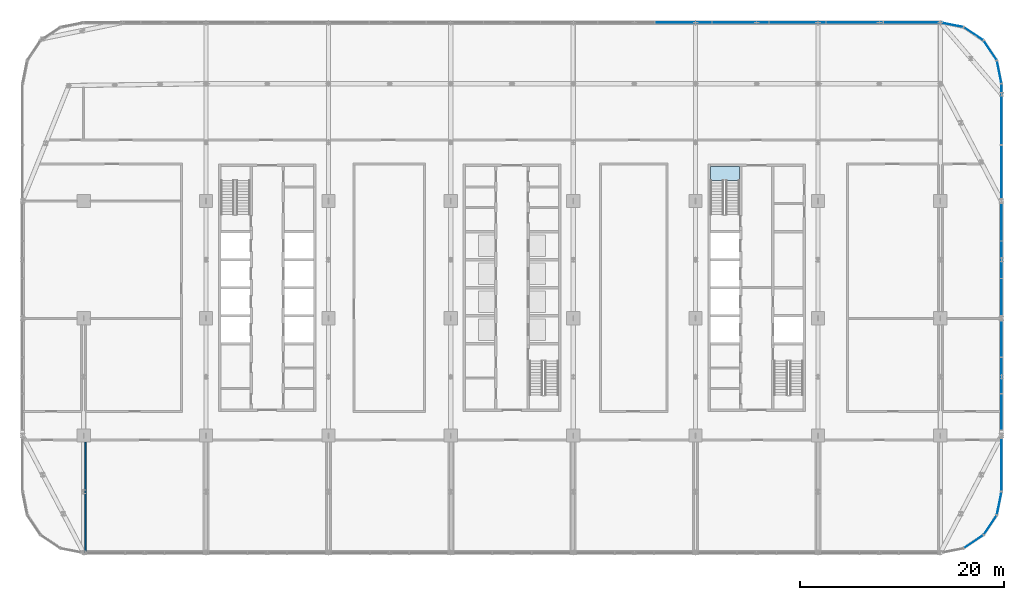
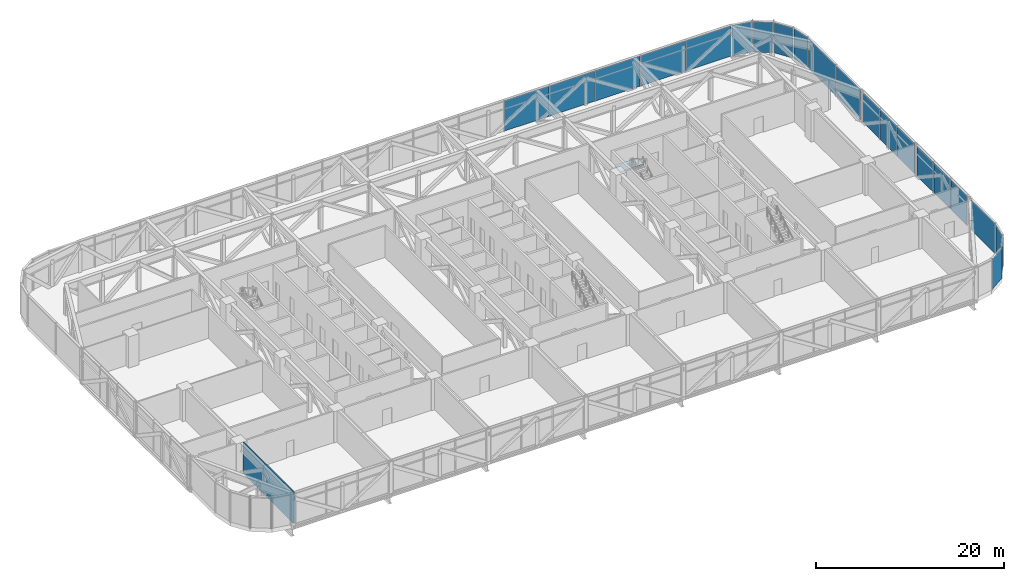
# One storey, part 15 of 30: 21 plates, 1 slab, 1 wall, 14 elements without a shape of their own.
"""IFC4 building model written with IfcOpenShell, lengths in metres."""

from ifc_helpers import new_model, si_unit, direction, frame, frame_2d, origin, origin_2d, place, context, subcontext, project, spatial, polyline, rectangle, outline, extrude, material, layer, layer_set, type_object, element, aggregate, save


model = new_model("IFC4")

# Units and contexts
model_context = context("Model", 3, precision=1e-05, world=origin(), true_north=direction((0.0, 1.0)))
body_context = subcontext(model_context, "Body", "Model", "MODEL_VIEW")
ifc_project = project(units=[si_unit("LENGTHUNIT", "METRE"), si_unit("AREAUNIT", "SQUARE_METRE"), si_unit("VOLUMEUNIT", "CUBIC_METRE"), si_unit("PLANEANGLEUNIT", "RADIAN"), si_unit("MASSUNIT", "GRAM", prefix="KILO")], contexts=[model_context])

# Site, building, storey
site_placement = place(None, origin())
site = spatial("IfcSite", under=ifc_project, at=site_placement, CompositionType="ELEMENT")
building_placement = place(site_placement, origin())
building = spatial("IfcBuilding", under=site, at=building_placement, Name="Mahtab Terrace Research Tower", CompositionType="ELEMENT")
storey_placement = place(building_placement, frame((0.0, 0.0, 154.800048828125)))
storey = spatial("IfcBuildingStorey", under=building, at=storey_placement, Name="L36", CompositionType="ELEMENT", Elevation=154.800048828125)

# Stair, slab
ifc_material_1 = material(Name="Exit stair half-turn")
stair_type = type_object("IfcStairType", Name="Exit stair half-turn", PredefinedType="HALF_TURN_STAIR", material=ifc_material_1)
stair_placement = place(storey_placement, origin())
stair = element("IfcStair", 1, at=stair_placement, inside=storey, type_object=stair_type, Name="L36 Protected exit stair ST3", PredefinedType="HALF_TURN_STAIR")
ifc_material_2 = material(Name="Concrete C40/50", Category="concrete")
ifc_layer_1 = layer(ifc_material_2, 0.199951171875)
ifc_layer_set_1 = layer_set([ifc_layer_1], Name="Exit stair landing 200")
slab_type = type_object("IfcSlabType", Name="Exit stair landing 200", PredefinedType="LANDING", material=ifc_layer_set_1)
slab_placement = place(storey_placement, frame((0.0, 0.0, 2.0)))
slab = element("IfcSlab", 2, at=slab_placement, type_object=slab_type, Name="ST3 landing 1", PredefinedType="LANDING", context=body_context, shape_type="SweptSolid", body=[
    extrude(outline(polyline([(22.300048828125, 13.534912109375), (22.300048828125, 14.875), (19.449951171875, 14.875), (19.449951171875, 13.534912109375), (22.300048828125, 13.534912109375)])), origin(), (0.0, 0.0, 1.0), 0.199951171875),
])
aggregate(stair, [slab])

# Curtain wall, plate
ifc_material_3 = material(Name="Sky lounge full-height curtain wall")
curtain_wall_type = type_object("IfcCurtainWallType", Name="Sky lounge full-height curtain wall", PredefinedType="NOTDEFINED", material=ifc_material_3)
curtain_wall_1_placement = place(storey_placement, origin())
curtain_wall_1 = element("IfcCurtainWall", 3, at=curtain_wall_1_placement, inside=storey, type_object=curtain_wall_type, Name="EN.L36.20.0", PredefinedType="NOTDEFINED")
ifc_material_4 = material(Name="Dark glazing", Category="glass")
ifc_layer_2 = layer(ifc_material_4, 0.0400390625)
ifc_layer_set_2 = layer_set([ifc_layer_2], Name="Sky lounge full-height curtain wall glazing panel")
plate_type_1 = type_object("IfcPlateType", Name="Sky lounge full-height curtain wall glazing panel", PredefinedType="CURTAIN_PANEL", material=ifc_layer_set_2)
plate_1_placement = place(storey_placement, frame((46.89306640625, -20.26953125, 0.0), z_axis=(0.0, 0.0, 1.0), x_axis=(0.555291490808, 0.831655794326, 0.0)))
plate_1 = element("IfcPlate", 4, at=plate_1_placement, type_object=plate_type_1, Name="CWS-T4 panel 1", PredefinedType="CURTAIN_PANEL", context=body_context, shape_type="SweptSolid", body=[
    extrude(rectangle(XDim=2.201171875, YDim=0.0400390625, at=origin_2d()), origin(), (0.0, 0.0, 1.0), 3.93994140625),
])
aggregate(curtain_wall_1, [plate_1])

curtain_wall_2_placement = place(storey_placement, origin())
curtain_wall_2 = element("IfcCurtainWall", 5, at=curtain_wall_2_placement, inside=storey, type_object=curtain_wall_type, Name="EN.L36.21.0", PredefinedType="NOTDEFINED")
plate_2_placement = place(storey_placement, frame((47.771484375, -18.14794921875, 0.0), z_axis=(0.0, 0.0, 1.0), x_axis=(0.195212442692, 0.980760981187, 0.0)))
plate_2 = element("IfcPlate", 6, at=plate_2_placement, type_object=plate_type_1, Name="CWS-T4 panel 1", PredefinedType="CURTAIN_PANEL", context=body_context, shape_type="SweptSolid", body=[
    extrude(rectangle(XDim=2.200927734375, YDim=0.0400390625, at=origin_2d()), origin(), (0.0, 0.0, 1.0), 3.93994140625),
])
aggregate(curtain_wall_2, [plate_2])

curtain_wall_3_placement = place(storey_placement, origin())
curtain_wall_3 = element("IfcCurtainWall", 7, at=curtain_wall_3_placement, inside=storey, type_object=curtain_wall_type, Name="EN.L36.0.0", PredefinedType="NOTDEFINED")
ifc_material_5 = material(Name="Insulated aluminium spandrel panel", Category="aluminium")
ifc_layer_3 = layer(ifc_material_5, 0.0400390625)
ifc_layer_set_3 = layer_set([ifc_layer_3], Name="Sky lounge full-height curtain wall spandrel infill panel")
plate_type_2 = type_object("IfcPlateType", Name="Sky lounge full-height curtain wall spandrel infill panel", PredefinedType="CURTAIN_PANEL", material=ifc_layer_set_3)
plate_3_placement = place(storey_placement, frame((48.0, 20.0, 0.0), z_axis=(0.0, 0.0, 1.0), x_axis=(0.0, 1.0, 0.0)))
plate_3 = element("IfcPlate", 8, at=plate_3_placement, type_object=plate_type_2, Name="CWS-T4 infill panel 1", PredefinedType="CURTAIN_PANEL", context=body_context, shape_type="SweptSolid", body=[
    extrude(rectangle(XDim=5.860107421875, YDim=0.0400390625, at=origin_2d()), origin(), (0.0, 0.0, 1.0), 3.93994140625),
])
aggregate(curtain_wall_3, [plate_3])

curtain_wall_4_placement = place(storey_placement, origin())
curtain_wall_4 = element("IfcCurtainWall", 9, at=curtain_wall_4_placement, inside=storey, type_object=curtain_wall_type, Name="EN.L36.1.0", PredefinedType="NOTDEFINED")
plate_4_placement = place(storey_placement, frame((47.771484375, 24.14794921875, 0.0), z_axis=(0.0, 0.0, 1.0), x_axis=(-0.195212442692, 0.980760981187, 0.0)))
plate_4 = element("IfcPlate", 10, at=plate_4_placement, type_object=plate_type_2, Name="CWS-T4 infill panel 1", PredefinedType="CURTAIN_PANEL", context=body_context, shape_type="SweptSolid", body=[
    extrude(rectangle(XDim=2.200927734375, YDim=0.0400390625, at=origin_2d()), origin(), (0.0, 0.0, 1.0), 3.93994140625),
])
aggregate(curtain_wall_4, [plate_4])

curtain_wall_5_placement = place(storey_placement, origin())
curtain_wall_5 = element("IfcCurtainWall", 11, at=curtain_wall_5_placement, inside=storey, type_object=curtain_wall_type, Name="EN.L36.2.0", PredefinedType="NOTDEFINED")
plate_5_placement = place(storey_placement, frame((46.89306640625, 26.26953125, 0.0), z_axis=(0.0, 0.0, 1.0), x_axis=(-0.555291490808, 0.831655794326, 0.0)))
plate_5 = element("IfcPlate", 12, at=plate_5_placement, type_object=plate_type_2, Name="CWS-T4 infill panel 1", PredefinedType="CURTAIN_PANEL", context=body_context, shape_type="SweptSolid", body=[
    extrude(rectangle(XDim=2.201171875, YDim=0.0400390625, at=origin_2d()), origin(), (0.0, 0.0, 1.0), 3.93994140625),
])
aggregate(curtain_wall_5, [plate_5])

curtain_wall_6_placement = place(storey_placement, origin())
curtain_wall_6 = element("IfcCurtainWall", 13, at=curtain_wall_6_placement, inside=storey, type_object=curtain_wall_type, Name="EN.L36.3.0", PredefinedType="NOTDEFINED")
plate_6_placement = place(storey_placement, frame((45.26953125, 27.89306640625, 0.0), z_axis=(0.0, 0.0, 1.0), x_axis=(-0.831655794326, 0.555291490808, 0.0)))
plate_6 = element("IfcPlate", 14, at=plate_6_placement, type_object=plate_type_2, Name="CWS-T4 infill panel 1", PredefinedType="CURTAIN_PANEL", context=body_context, shape_type="SweptSolid", body=[
    extrude(rectangle(XDim=2.201171875, YDim=0.0400390625, at=origin_2d()), origin(), (0.0, 0.0, 1.0), 3.93994140625),
])
aggregate(curtain_wall_6, [plate_6])

curtain_wall_7_placement = place(storey_placement, origin())
curtain_wall_7 = element("IfcCurtainWall", 15, at=curtain_wall_7_placement, inside=storey, type_object=curtain_wall_type, Name="EN.L36.4.0", PredefinedType="NOTDEFINED")
plate_7_placement = place(storey_placement, frame((43.14794921875, 28.771484375, 0.0), z_axis=(0.0, 0.0, 1.0), x_axis=(-0.980760981187, 0.195212442692, 0.0)))
plate_7 = element("IfcPlate", 16, at=plate_7_placement, type_object=plate_type_2, Name="CWS-T4 infill panel 1", PredefinedType="CURTAIN_PANEL", context=body_context, shape_type="SweptSolid", body=[
    extrude(rectangle(XDim=2.200927734375, YDim=0.0400390625, at=origin_2d()), origin(), (0.0, 0.0, 1.0), 3.93994140625),
])
aggregate(curtain_wall_7, [plate_7])

# Curtain wall, plates
curtain_wall_8_placement = place(storey_placement, origin())
curtain_wall_8 = element("IfcCurtainWall", 17, at=curtain_wall_8_placement, inside=storey, type_object=curtain_wall_type, Name="EN.L36.5.0", PredefinedType="NOTDEFINED")
plate_8_placement = place(storey_placement, frame((39.1826171875, 29.0, 0.0), z_axis=(0.0, 0.0, 1.0), x_axis=(-1.0, 0.0, 0.0)))
plate_8 = element("IfcPlate", 18, at=plate_8_placement, type_object=plate_type_2, Name="CWS-T4 infill panel 1", PredefinedType="CURTAIN_PANEL", context=body_context, shape_type="SweptSolid", body=[
    extrude(rectangle(XDim=5.4951171875, YDim=0.0400390625, at=origin_2d()), origin(), (0.0, 0.0, 1.0), 3.93994140625),
])
plate_9_placement = place(storey_placement, frame((33.60009765625, 29.0, 0.0), z_axis=(0.0, 0.0, 1.0), x_axis=(-1.0, 0.0, 0.0)))
plate_9 = element("IfcPlate", 19, at=plate_9_placement, type_object=plate_type_2, Name="CWS-T4 infill panel 2", PredefinedType="CURTAIN_PANEL", context=body_context, shape_type="SweptSolid", body=[
    extrude(rectangle(XDim=5.530029296875, YDim=0.0400390625, at=origin_2d()), origin(), (0.0, 0.0, 1.0), 3.93994140625),
])
plate_10_placement = place(storey_placement, frame((28.0, 29.0, 0.0), z_axis=(0.0, 0.0, 1.0), x_axis=(-1.0, 0.0, 0.0)))
plate_10 = element("IfcPlate", 20, at=plate_10_placement, type_object=plate_type_2, Name="CWS-T4 infill panel 3", PredefinedType="CURTAIN_PANEL", context=body_context, shape_type="SweptSolid", body=[
    extrude(rectangle(XDim=5.530029296875, YDim=0.0400390625, at=origin_2d()), origin(), (0.0, 0.0, 1.0), 3.93994140625),
])
plate_11_placement = place(storey_placement, frame((22.39990234375, 29.0, 0.0), z_axis=(0.0, 0.0, 1.0), x_axis=(-1.0, 0.0, 0.0)))
plate_11 = element("IfcPlate", 21, at=plate_11_placement, type_object=plate_type_2, Name="CWS-T4 infill panel 4", PredefinedType="CURTAIN_PANEL", context=body_context, shape_type="SweptSolid", body=[
    extrude(rectangle(XDim=5.530029296875, YDim=0.0400390625, at=origin_2d()), origin(), (0.0, 0.0, 1.0), 3.93994140625),
])
plate_12_placement = place(storey_placement, frame((16.800048828125, 29.0, 0.0), z_axis=(0.0, 0.0, 1.0), x_axis=(-1.0, 0.0, 0.0)))
plate_12 = element("IfcPlate", 22, at=plate_12_placement, type_object=plate_type_2, Name="CWS-T4 infill panel 5", PredefinedType="CURTAIN_PANEL", context=body_context, shape_type="SweptSolid", body=[
    extrude(rectangle(XDim=5.530029296875, YDim=0.0400390625, at=origin_2d()), origin(), (0.0, 0.0, 1.0), 3.93994140625),
])
aggregate(curtain_wall_8, [plate_8, plate_9, plate_10, plate_11, plate_12])

# Curtain wall, plate
curtain_wall_9_placement = place(storey_placement, origin())
curtain_wall_9 = element("IfcCurtainWall", 23, at=curtain_wall_9_placement, inside=storey, type_object=curtain_wall_type, Name="EN.L36.19.0", PredefinedType="NOTDEFINED")
plate_13_placement = place(storey_placement, frame((45.26953125, -21.89306640625, 0.0), z_axis=(0.0, 0.0, 1.0), x_axis=(0.831655794326, 0.555291490808, 0.0)))
plate_13 = element("IfcPlate", 24, at=plate_13_placement, type_object=plate_type_2, Name="CWS-T4 infill panel 1", PredefinedType="CURTAIN_PANEL", context=body_context, shape_type="SweptSolid", body=[
    extrude(rectangle(XDim=2.201171875, YDim=0.0400390625, at=origin_2d()), origin(), (0.0, 0.0, 1.0), 3.93994140625),
])
aggregate(curtain_wall_9, [plate_13])

curtain_wall_10_placement = place(storey_placement, origin())
curtain_wall_10 = element("IfcCurtainWall", 25, at=curtain_wall_10_placement, inside=storey, type_object=curtain_wall_type, Name="EN.L36.22.0", PredefinedType="NOTDEFINED")
plate_14_placement = place(storey_placement, frame((48.0, -14.35888671875, 0.0), z_axis=(0.0, 0.0, 1.0), x_axis=(0.0, 1.0, 0.0)))
plate_14 = element("IfcPlate", 26, at=plate_14_placement, type_object=plate_type_2, Name="CWS-T4 infill panel 1", PredefinedType="CURTAIN_PANEL", context=body_context, shape_type="SweptSolid", body=[
    extrude(rectangle(XDim=5.14208984375, YDim=0.0400390625, at=origin_2d()), origin(), (0.0, 0.0, 1.0), 3.93994140625),
])
aggregate(curtain_wall_10, [plate_14])

# Curtain wall, plates
curtain_wall_11_placement = place(storey_placement, origin())
curtain_wall_11 = element("IfcCurtainWall", 27, at=curtain_wall_11_placement, inside=storey, type_object=curtain_wall_type, Name="EN.L36.23.0", PredefinedType="NOTDEFINED")
plate_15_placement = place(storey_placement, frame((48.0, -9.185546875, 0.0), z_axis=(0.0, 0.0, 1.0), x_axis=(0.0, 1.0, 0.0)))
plate_15 = element("IfcPlate", 28, at=plate_15_placement, type_object=plate_type_2, Name="CWS-T4 infill panel 1", PredefinedType="CURTAIN_PANEL", context=body_context, shape_type="SweptSolid", body=[
    extrude(rectangle(XDim=3.489013671875, YDim=0.0400390625, at=origin_2d()), origin(), (0.0, 0.0, 1.0), 3.93994140625),
])
plate_16_placement = place(storey_placement, frame((48.0, -5.60888671875, 0.0), z_axis=(0.0, 0.0, 1.0), x_axis=(0.0, 1.0, 0.0)))
plate_16 = element("IfcPlate", 29, at=plate_16_placement, type_object=plate_type_2, Name="CWS-T4 infill panel 2", PredefinedType="CURTAIN_PANEL", context=body_context, shape_type="SweptSolid", body=[
    extrude(rectangle(XDim=3.52392578125, YDim=0.0400390625, at=origin_2d()), origin(), (0.0, 0.0, 1.0), 3.93994140625),
])
plate_17_placement = place(storey_placement, frame((48.0, -2.032470703125, 0.0), z_axis=(0.0, 0.0, 1.0), x_axis=(0.0, 1.0, 0.0)))
plate_17 = element("IfcPlate", 30, at=plate_17_placement, type_object=plate_type_2, Name="CWS-T4 infill panel 3", PredefinedType="CURTAIN_PANEL", context=body_context, shape_type="SweptSolid", body=[
    extrude(rectangle(XDim=3.489013671875, YDim=0.0400390625, at=origin_2d()), origin(), (0.0, 0.0, 1.0), 3.93994140625),
])
aggregate(curtain_wall_11, [plate_15, plate_16, plate_17])

curtain_wall_12_placement = place(storey_placement, origin())
curtain_wall_12 = element("IfcCurtainWall", 31, at=curtain_wall_12_placement, inside=storey, type_object=curtain_wall_type, Name="EN.L36.23.1", PredefinedType="NOTDEFINED")
plate_18_placement = place(storey_placement, frame((48.0, 2.07958984375, 0.0), z_axis=(0.0, 0.0, 1.0), x_axis=(0.0, 1.0, 0.0)))
plate_18 = element("IfcPlate", 32, at=plate_18_placement, type_object=plate_type_2, Name="CWS-T4 infill panel 1", PredefinedType="CURTAIN_PANEL", context=body_context, shape_type="SweptSolid", body=[
    extrude(rectangle(XDim=3.5830078125, YDim=0.0400390625, at=origin_2d()), origin(), (0.0, 0.0, 1.0), 3.93994140625),
])
plate_19_placement = place(storey_placement, frame((48.0, 5.75, 0.0), z_axis=(0.0, 0.0, 1.0), x_axis=(0.0, 1.0, 0.0)))
plate_19 = element("IfcPlate", 33, at=plate_19_placement, type_object=plate_type_2, Name="CWS-T4 infill panel 2", PredefinedType="CURTAIN_PANEL", context=body_context, shape_type="SweptSolid", body=[
    extrude(rectangle(XDim=3.617919921875, YDim=0.0400390625, at=origin_2d()), origin(), (0.0, 0.0, 1.0), 3.93994140625),
])
plate_20_placement = place(storey_placement, frame((48.0, 9.42041015625, 0.0), z_axis=(0.0, 0.0, 1.0), x_axis=(0.0, 1.0, 0.0)))
plate_20 = element("IfcPlate", 34, at=plate_20_placement, type_object=plate_type_2, Name="CWS-T4 infill panel 3", PredefinedType="CURTAIN_PANEL", context=body_context, shape_type="SweptSolid", body=[
    extrude(rectangle(XDim=3.5830078125, YDim=0.0400390625, at=origin_2d()), origin(), (0.0, 0.0, 1.0), 3.93994140625),
])
aggregate(curtain_wall_12, [plate_18, plate_19, plate_20])

# Curtain wall, plate
curtain_wall_13_placement = place(storey_placement, origin())
curtain_wall_13 = element("IfcCurtainWall", 35, at=curtain_wall_13_placement, inside=storey, type_object=curtain_wall_type, Name="EN.L36.23.2", PredefinedType="NOTDEFINED")
plate_21_placement = place(storey_placement, frame((48.0, 14.35888671875, 0.0), z_axis=(0.0, 0.0, 1.0), x_axis=(0.0, 1.0, 0.0)))
plate_21 = element("IfcPlate", 36, at=plate_21_placement, type_object=plate_type_2, Name="CWS-T4 infill panel 1", PredefinedType="CURTAIN_PANEL", context=body_context, shape_type="SweptSolid", body=[
    extrude(rectangle(XDim=5.14208984375, YDim=0.0400390625, at=origin_2d()), origin(), (0.0, 0.0, 1.0), 3.93994140625),
])
aggregate(curtain_wall_13, [plate_21])

# Wall
ifc_material_6 = material(Name="Gypsum board partition on steel studs", Category="steel")
ifc_layer_4 = layer(ifc_material_6, 0.14990234375)
ifc_layer_set_4 = layer_set([ifc_layer_4], Name="WALL PARTITION 150")
wall_type = type_object("IfcWallType", Name="WALL PARTITION 150", PredefinedType="PARTITIONING", material=ifc_layer_set_4)
wall_placement = place(storey_placement, frame((-41.800048828125, -22.97509765625, 0.0), z_axis=(0.0, 0.0, 1.0), x_axis=(0.0, 1.0, 0.0)))
element("IfcWall", 37, at=wall_placement, inside=storey, type_object=wall_type, Name="L36-W036", PredefinedType="PARTITIONING", context=body_context, shape_type="SweptSolid", body=[
    extrude(rectangle(XDim=10.8251953125, YDim=0.14990234375, at=frame_2d((5.41259765625, 0.0))), origin(), (0.0, 0.0, 1.0), 4.06005859375),
])

save(model, "model.ifc")
